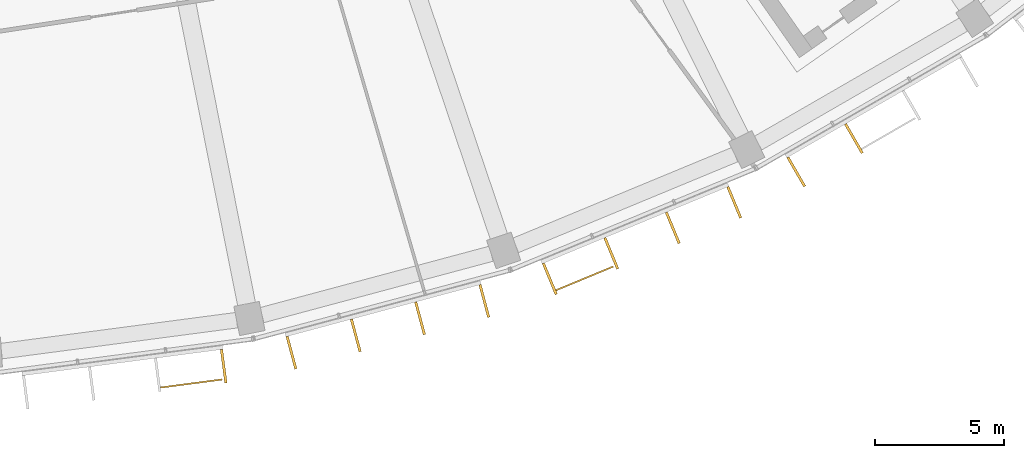
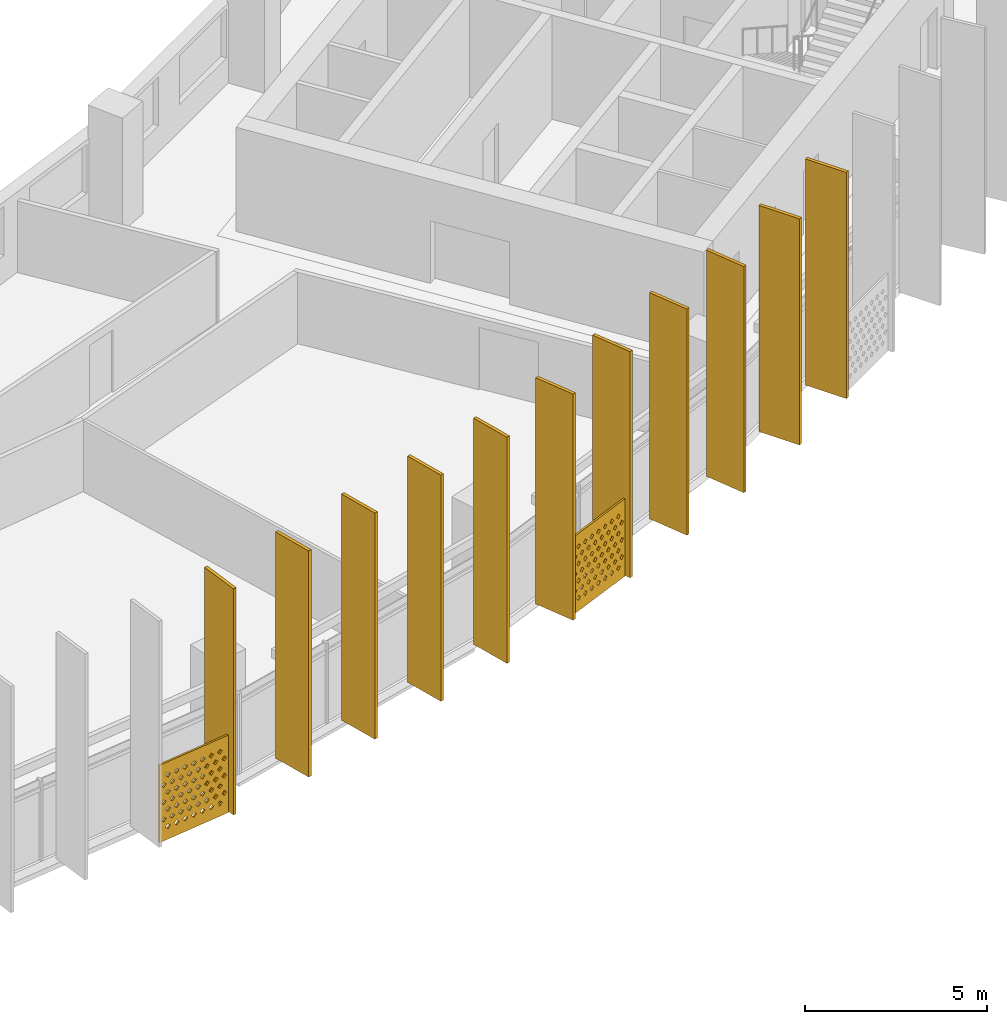
# One storey, part 26 of 28: 13 shading devices.
"""IFC4 building model written with IfcOpenShell, lengths in metres."""

from ifc_helpers import new_model, si_unit, direction, frame, origin, origin_2d, place, context, subcontext, project, spatial, polyline, rectangle, outline, extrude, material, material_profile, profile_set, type_object, element, save


model = new_model("IFC4")

# Units and contexts
model_context = context("Model", 3, precision=1e-05, world=origin(), true_north=direction((0.0, 1.0)))
body_context = subcontext(model_context, "Body", "Model", "MODEL_VIEW")
ifc_project = project(units=[si_unit("LENGTHUNIT", "METRE"), si_unit("AREAUNIT", "SQUARE_METRE"), si_unit("VOLUMEUNIT", "CUBIC_METRE"), si_unit("PLANEANGLEUNIT", "RADIAN"), si_unit("MASSUNIT", "GRAM", prefix="KILO")], contexts=[model_context])

# Site, building, storey
site_placement = place(None, origin())
site = spatial("IfcSite", under=ifc_project, at=site_placement, CompositionType="ELEMENT")
building_placement = place(site_placement, origin())
building = spatial("IfcBuilding", under=site, at=building_placement, Name="Qamariyya Broadcast Tower", CompositionType="ELEMENT")
storey_placement = place(building_placement, frame((0.0, 0.0, 226.5)))
storey = spatial("IfcBuildingStorey", under=building, at=storey_placement, Name="L54", CompositionType="ELEMENT", Elevation=226.5)

# Shading devices
ifc_material_1 = material(Name="Perforated glazed terracotta", Category="masonry")
ifc_material_profile_1 = material_profile(ifc_material_1, outline(polyline([(-1.199951171875, -1.300048828125), (1.199951171875, -1.300048828125), (1.199951171875, 1.300048828125), (-1.199951171875, 1.300048828125), (-1.199951171875, -1.300048828125)]), holes=[polyline([(-0.81494140625, -0.86669921875), (-0.89990234375, -0.78173828125), (-0.985107421875, -0.86669921875), (-0.89990234375, -0.95166015625), (-0.81494140625, -0.86669921875)]), polyline([(-0.514892578125, -0.86669921875), (-0.60009765625, -0.78173828125), (-0.68505859375, -0.86669921875), (-0.60009765625, -0.95166015625), (-0.514892578125, -0.86669921875)]), polyline([(-0.215087890625, -0.86669921875), (-0.300048828125, -0.78173828125), (-0.385009765625, -0.86669921875), (-0.300048828125, -0.95166015625), (-0.215087890625, -0.86669921875)]), polyline([(0.0849609375, -0.86669921875), (0.0, -0.78173828125), (-0.0849609375, -0.86669921875), (0.0, -0.95166015625), (0.0849609375, -0.86669921875)]), polyline([(0.385009765625, -0.86669921875), (0.300048828125, -0.78173828125), (0.215087890625, -0.86669921875), (0.300048828125, -0.95166015625), (0.385009765625, -0.86669921875)]), polyline([(0.68505859375, -0.86669921875), (0.60009765625, -0.78173828125), (0.514892578125, -0.86669921875), (0.60009765625, -0.95166015625), (0.68505859375, -0.86669921875)]), polyline([(0.985107421875, -0.86669921875), (0.89990234375, -0.78173828125), (0.81494140625, -0.86669921875), (0.89990234375, -0.95166015625), (0.985107421875, -0.86669921875)]), polyline([(-0.965087890625, -0.577880859375), (-1.050048828125, -0.49267578125), (-1.135009765625, -0.577880859375), (-1.050048828125, -0.662841796875), (-0.965087890625, -0.577880859375)]), polyline([(-0.6650390625, -0.577880859375), (-0.75, -0.49267578125), (-0.8349609375, -0.577880859375), (-0.75, -0.662841796875), (-0.6650390625, -0.577880859375)]), polyline([(-0.364990234375, -0.577880859375), (-0.449951171875, -0.49267578125), (-0.534912109375, -0.577880859375), (-0.449951171875, -0.662841796875), (-0.364990234375, -0.577880859375)]), polyline([(-0.06494140625, -0.577880859375), (-0.14990234375, -0.49267578125), (-0.235107421875, -0.577880859375), (-0.14990234375, -0.662841796875), (-0.06494140625, -0.577880859375)]), polyline([(0.235107421875, -0.577880859375), (0.14990234375, -0.49267578125), (0.06494140625, -0.577880859375), (0.14990234375, -0.662841796875), (0.235107421875, -0.577880859375)]), polyline([(0.534912109375, -0.577880859375), (0.449951171875, -0.49267578125), (0.364990234375, -0.577880859375), (0.449951171875, -0.662841796875), (0.534912109375, -0.577880859375)]), polyline([(0.8349609375, -0.577880859375), (0.75, -0.49267578125), (0.6650390625, -0.577880859375), (0.75, -0.662841796875), (0.8349609375, -0.577880859375)]), polyline([(1.135009765625, -0.577880859375), (1.050048828125, -0.49267578125), (0.965087890625, -0.577880859375), (1.050048828125, -0.662841796875), (1.135009765625, -0.577880859375)]), polyline([(-0.81494140625, -0.288818359375), (-0.89990234375, -0.203857421875), (-0.985107421875, -0.288818359375), (-0.89990234375, -0.373779296875), (-0.81494140625, -0.288818359375)]), polyline([(-0.514892578125, -0.288818359375), (-0.60009765625, -0.203857421875), (-0.68505859375, -0.288818359375), (-0.60009765625, -0.373779296875), (-0.514892578125, -0.288818359375)]), polyline([(-0.215087890625, -0.288818359375), (-0.300048828125, -0.203857421875), (-0.385009765625, -0.288818359375), (-0.300048828125, -0.373779296875), (-0.215087890625, -0.288818359375)]), polyline([(0.0849609375, -0.288818359375), (0.0, -0.203857421875), (-0.0849609375, -0.288818359375), (0.0, -0.373779296875), (0.0849609375, -0.288818359375)]), polyline([(0.385009765625, -0.288818359375), (0.300048828125, -0.203857421875), (0.215087890625, -0.288818359375), (0.300048828125, -0.373779296875), (0.385009765625, -0.288818359375)]), polyline([(0.68505859375, -0.288818359375), (0.60009765625, -0.203857421875), (0.514892578125, -0.288818359375), (0.60009765625, -0.373779296875), (0.68505859375, -0.288818359375)]), polyline([(0.985107421875, -0.288818359375), (0.89990234375, -0.203857421875), (0.81494140625, -0.288818359375), (0.89990234375, -0.373779296875), (0.985107421875, -0.288818359375)]), polyline([(-0.965087890625, 0.0), (-1.050048828125, 0.0849609375), (-1.135009765625, 0.0), (-1.050048828125, -0.0849609375), (-0.965087890625, 0.0)]), polyline([(-0.6650390625, 0.0), (-0.75, 0.0849609375), (-0.8349609375, 0.0), (-0.75, -0.0849609375), (-0.6650390625, 0.0)]), polyline([(-0.364990234375, 0.0), (-0.449951171875, 0.0849609375), (-0.534912109375, 0.0), (-0.449951171875, -0.0849609375), (-0.364990234375, 0.0)]), polyline([(-0.06494140625, 0.0), (-0.14990234375, 0.0849609375), (-0.235107421875, 0.0), (-0.14990234375, -0.0849609375), (-0.06494140625, 0.0)]), polyline([(0.235107421875, 0.0), (0.14990234375, 0.0849609375), (0.06494140625, 0.0), (0.14990234375, -0.0849609375), (0.235107421875, 0.0)]), polyline([(0.534912109375, 0.0), (0.449951171875, 0.0849609375), (0.364990234375, 0.0), (0.449951171875, -0.0849609375), (0.534912109375, 0.0)]), polyline([(0.8349609375, 0.0), (0.75, 0.0849609375), (0.6650390625, 0.0), (0.75, -0.0849609375), (0.8349609375, 0.0)]), polyline([(1.135009765625, 0.0), (1.050048828125, 0.0849609375), (0.965087890625, 0.0), (1.050048828125, -0.0849609375), (1.135009765625, 0.0)]), polyline([(-0.81494140625, 0.288818359375), (-0.89990234375, 0.373779296875), (-0.985107421875, 0.288818359375), (-0.89990234375, 0.203857421875), (-0.81494140625, 0.288818359375)]), polyline([(-0.514892578125, 0.288818359375), (-0.60009765625, 0.373779296875), (-0.68505859375, 0.288818359375), (-0.60009765625, 0.203857421875), (-0.514892578125, 0.288818359375)]), polyline([(-0.215087890625, 0.288818359375), (-0.300048828125, 0.373779296875), (-0.385009765625, 0.288818359375), (-0.300048828125, 0.203857421875), (-0.215087890625, 0.288818359375)]), polyline([(0.0849609375, 0.288818359375), (0.0, 0.373779296875), (-0.0849609375, 0.288818359375), (0.0, 0.203857421875), (0.0849609375, 0.288818359375)]), polyline([(0.385009765625, 0.288818359375), (0.300048828125, 0.373779296875), (0.215087890625, 0.288818359375), (0.300048828125, 0.203857421875), (0.385009765625, 0.288818359375)]), polyline([(0.68505859375, 0.288818359375), (0.60009765625, 0.373779296875), (0.514892578125, 0.288818359375), (0.60009765625, 0.203857421875), (0.68505859375, 0.288818359375)]), polyline([(0.985107421875, 0.288818359375), (0.89990234375, 0.373779296875), (0.81494140625, 0.288818359375), (0.89990234375, 0.203857421875), (0.985107421875, 0.288818359375)]), polyline([(-0.965087890625, 0.577880859375), (-1.050048828125, 0.662841796875), (-1.135009765625, 0.577880859375), (-1.050048828125, 0.49267578125), (-0.965087890625, 0.577880859375)]), polyline([(-0.6650390625, 0.577880859375), (-0.75, 0.662841796875), (-0.8349609375, 0.577880859375), (-0.75, 0.49267578125), (-0.6650390625, 0.577880859375)]), polyline([(-0.364990234375, 0.577880859375), (-0.449951171875, 0.662841796875), (-0.534912109375, 0.577880859375), (-0.449951171875, 0.49267578125), (-0.364990234375, 0.577880859375)]), polyline([(-0.06494140625, 0.577880859375), (-0.14990234375, 0.662841796875), (-0.235107421875, 0.577880859375), (-0.14990234375, 0.49267578125), (-0.06494140625, 0.577880859375)]), polyline([(0.235107421875, 0.577880859375), (0.14990234375, 0.662841796875), (0.06494140625, 0.577880859375), (0.14990234375, 0.49267578125), (0.235107421875, 0.577880859375)]), polyline([(0.534912109375, 0.577880859375), (0.449951171875, 0.662841796875), (0.364990234375, 0.577880859375), (0.449951171875, 0.49267578125), (0.534912109375, 0.577880859375)]), polyline([(0.8349609375, 0.577880859375), (0.75, 0.662841796875), (0.6650390625, 0.577880859375), (0.75, 0.49267578125), (0.8349609375, 0.577880859375)]), polyline([(1.135009765625, 0.577880859375), (1.050048828125, 0.662841796875), (0.965087890625, 0.577880859375), (1.050048828125, 0.49267578125), (1.135009765625, 0.577880859375)]), polyline([(-0.81494140625, 0.86669921875), (-0.89990234375, 0.95166015625), (-0.985107421875, 0.86669921875), (-0.89990234375, 0.78173828125), (-0.81494140625, 0.86669921875)]), polyline([(-0.514892578125, 0.86669921875), (-0.60009765625, 0.95166015625), (-0.68505859375, 0.86669921875), (-0.60009765625, 0.78173828125), (-0.514892578125, 0.86669921875)]), polyline([(-0.215087890625, 0.86669921875), (-0.300048828125, 0.95166015625), (-0.385009765625, 0.86669921875), (-0.300048828125, 0.78173828125), (-0.215087890625, 0.86669921875)]), polyline([(0.0849609375, 0.86669921875), (0.0, 0.95166015625), (-0.0849609375, 0.86669921875), (0.0, 0.78173828125), (0.0849609375, 0.86669921875)]), polyline([(0.385009765625, 0.86669921875), (0.300048828125, 0.95166015625), (0.215087890625, 0.86669921875), (0.300048828125, 0.78173828125), (0.385009765625, 0.86669921875)]), polyline([(0.68505859375, 0.86669921875), (0.60009765625, 0.95166015625), (0.514892578125, 0.86669921875), (0.60009765625, 0.78173828125), (0.68505859375, 0.86669921875)]), polyline([(0.985107421875, 0.86669921875), (0.89990234375, 0.95166015625), (0.81494140625, 0.86669921875), (0.89990234375, 0.78173828125), (0.985107421875, 0.86669921875)])]))
ifc_profile_set_1 = profile_set([ifc_material_profile_1], Name="Perforated glazed terracotta")
shading_device_type_1 = type_object("IfcShadingDeviceType", Name="Perforated terracotta screen 2400 x 2600", PredefinedType="USERDEFINED", material=ifc_profile_set_1)
shading_device_1_placement = place(storey_placement, frame((12.924072265625, -78.73828125, 1.35009765625), z_axis=(0.1300340368, -0.991509530601, 0.0), x_axis=(0.991509530601, 0.1300340368, 0.0)))
element("IfcShadingDevice", 1, at=shading_device_1_placement, inside=storey, type_object=shading_device_type_1, Name="e-scr-L54-09-2", ObjectType="SCREEN", PredefinedType="USERDEFINED", context=body_context, shape_type="SweptSolid", body=[
    extrude(outline(polyline([(-1.199951171875, -1.300048828125), (1.199951171875, -1.300048828125), (1.199951171875, 1.300048828125), (-1.199951171875, 1.300048828125), (-1.199951171875, -1.300048828125)]), holes=[polyline([(-0.81494140625, -0.86669921875), (-0.89990234375, -0.78173828125), (-0.985107421875, -0.86669921875), (-0.89990234375, -0.95166015625), (-0.81494140625, -0.86669921875)]), polyline([(-0.514892578125, -0.86669921875), (-0.60009765625, -0.78173828125), (-0.68505859375, -0.86669921875), (-0.60009765625, -0.95166015625), (-0.514892578125, -0.86669921875)]), polyline([(-0.215087890625, -0.86669921875), (-0.300048828125, -0.78173828125), (-0.385009765625, -0.86669921875), (-0.300048828125, -0.95166015625), (-0.215087890625, -0.86669921875)]), polyline([(0.0849609375, -0.86669921875), (0.0, -0.78173828125), (-0.0849609375, -0.86669921875), (0.0, -0.95166015625), (0.0849609375, -0.86669921875)]), polyline([(0.385009765625, -0.86669921875), (0.300048828125, -0.78173828125), (0.215087890625, -0.86669921875), (0.300048828125, -0.95166015625), (0.385009765625, -0.86669921875)]), polyline([(0.68505859375, -0.86669921875), (0.60009765625, -0.78173828125), (0.514892578125, -0.86669921875), (0.60009765625, -0.95166015625), (0.68505859375, -0.86669921875)]), polyline([(0.985107421875, -0.86669921875), (0.89990234375, -0.78173828125), (0.81494140625, -0.86669921875), (0.89990234375, -0.95166015625), (0.985107421875, -0.86669921875)]), polyline([(-0.965087890625, -0.577880859375), (-1.050048828125, -0.49267578125), (-1.135009765625, -0.577880859375), (-1.050048828125, -0.662841796875), (-0.965087890625, -0.577880859375)]), polyline([(-0.6650390625, -0.577880859375), (-0.75, -0.49267578125), (-0.8349609375, -0.577880859375), (-0.75, -0.662841796875), (-0.6650390625, -0.577880859375)]), polyline([(-0.364990234375, -0.577880859375), (-0.449951171875, -0.49267578125), (-0.534912109375, -0.577880859375), (-0.449951171875, -0.662841796875), (-0.364990234375, -0.577880859375)]), polyline([(-0.06494140625, -0.577880859375), (-0.14990234375, -0.49267578125), (-0.235107421875, -0.577880859375), (-0.14990234375, -0.662841796875), (-0.06494140625, -0.577880859375)]), polyline([(0.235107421875, -0.577880859375), (0.14990234375, -0.49267578125), (0.06494140625, -0.577880859375), (0.14990234375, -0.662841796875), (0.235107421875, -0.577880859375)]), polyline([(0.534912109375, -0.577880859375), (0.449951171875, -0.49267578125), (0.364990234375, -0.577880859375), (0.449951171875, -0.662841796875), (0.534912109375, -0.577880859375)]), polyline([(0.8349609375, -0.577880859375), (0.75, -0.49267578125), (0.6650390625, -0.577880859375), (0.75, -0.662841796875), (0.8349609375, -0.577880859375)]), polyline([(1.135009765625, -0.577880859375), (1.050048828125, -0.49267578125), (0.965087890625, -0.577880859375), (1.050048828125, -0.662841796875), (1.135009765625, -0.577880859375)]), polyline([(-0.81494140625, -0.288818359375), (-0.89990234375, -0.203857421875), (-0.985107421875, -0.288818359375), (-0.89990234375, -0.373779296875), (-0.81494140625, -0.288818359375)]), polyline([(-0.514892578125, -0.288818359375), (-0.60009765625, -0.203857421875), (-0.68505859375, -0.288818359375), (-0.60009765625, -0.373779296875), (-0.514892578125, -0.288818359375)]), polyline([(-0.215087890625, -0.288818359375), (-0.300048828125, -0.203857421875), (-0.385009765625, -0.288818359375), (-0.300048828125, -0.373779296875), (-0.215087890625, -0.288818359375)]), polyline([(0.0849609375, -0.288818359375), (0.0, -0.203857421875), (-0.0849609375, -0.288818359375), (0.0, -0.373779296875), (0.0849609375, -0.288818359375)]), polyline([(0.385009765625, -0.288818359375), (0.300048828125, -0.203857421875), (0.215087890625, -0.288818359375), (0.300048828125, -0.373779296875), (0.385009765625, -0.288818359375)]), polyline([(0.68505859375, -0.288818359375), (0.60009765625, -0.203857421875), (0.514892578125, -0.288818359375), (0.60009765625, -0.373779296875), (0.68505859375, -0.288818359375)]), polyline([(0.985107421875, -0.288818359375), (0.89990234375, -0.203857421875), (0.81494140625, -0.288818359375), (0.89990234375, -0.373779296875), (0.985107421875, -0.288818359375)]), polyline([(-0.965087890625, 0.0), (-1.050048828125, 0.0849609375), (-1.135009765625, 0.0), (-1.050048828125, -0.0849609375), (-0.965087890625, 0.0)]), polyline([(-0.6650390625, 0.0), (-0.75, 0.0849609375), (-0.8349609375, 0.0), (-0.75, -0.0849609375), (-0.6650390625, 0.0)]), polyline([(-0.364990234375, 0.0), (-0.449951171875, 0.0849609375), (-0.534912109375, 0.0), (-0.449951171875, -0.0849609375), (-0.364990234375, 0.0)]), polyline([(-0.06494140625, 0.0), (-0.14990234375, 0.0849609375), (-0.235107421875, 0.0), (-0.14990234375, -0.0849609375), (-0.06494140625, 0.0)]), polyline([(0.235107421875, 0.0), (0.14990234375, 0.0849609375), (0.06494140625, 0.0), (0.14990234375, -0.0849609375), (0.235107421875, 0.0)]), polyline([(0.534912109375, 0.0), (0.449951171875, 0.0849609375), (0.364990234375, 0.0), (0.449951171875, -0.0849609375), (0.534912109375, 0.0)]), polyline([(0.8349609375, 0.0), (0.75, 0.0849609375), (0.6650390625, 0.0), (0.75, -0.0849609375), (0.8349609375, 0.0)]), polyline([(1.135009765625, 0.0), (1.050048828125, 0.0849609375), (0.965087890625, 0.0), (1.050048828125, -0.0849609375), (1.135009765625, 0.0)]), polyline([(-0.81494140625, 0.288818359375), (-0.89990234375, 0.373779296875), (-0.985107421875, 0.288818359375), (-0.89990234375, 0.203857421875), (-0.81494140625, 0.288818359375)]), polyline([(-0.514892578125, 0.288818359375), (-0.60009765625, 0.373779296875), (-0.68505859375, 0.288818359375), (-0.60009765625, 0.203857421875), (-0.514892578125, 0.288818359375)]), polyline([(-0.215087890625, 0.288818359375), (-0.300048828125, 0.373779296875), (-0.385009765625, 0.288818359375), (-0.300048828125, 0.203857421875), (-0.215087890625, 0.288818359375)]), polyline([(0.0849609375, 0.288818359375), (0.0, 0.373779296875), (-0.0849609375, 0.288818359375), (0.0, 0.203857421875), (0.0849609375, 0.288818359375)]), polyline([(0.385009765625, 0.288818359375), (0.300048828125, 0.373779296875), (0.215087890625, 0.288818359375), (0.300048828125, 0.203857421875), (0.385009765625, 0.288818359375)]), polyline([(0.68505859375, 0.288818359375), (0.60009765625, 0.373779296875), (0.514892578125, 0.288818359375), (0.60009765625, 0.203857421875), (0.68505859375, 0.288818359375)]), polyline([(0.985107421875, 0.288818359375), (0.89990234375, 0.373779296875), (0.81494140625, 0.288818359375), (0.89990234375, 0.203857421875), (0.985107421875, 0.288818359375)]), polyline([(-0.965087890625, 0.577880859375), (-1.050048828125, 0.662841796875), (-1.135009765625, 0.577880859375), (-1.050048828125, 0.49267578125), (-0.965087890625, 0.577880859375)]), polyline([(-0.6650390625, 0.577880859375), (-0.75, 0.662841796875), (-0.8349609375, 0.577880859375), (-0.75, 0.49267578125), (-0.6650390625, 0.577880859375)]), polyline([(-0.364990234375, 0.577880859375), (-0.449951171875, 0.662841796875), (-0.534912109375, 0.577880859375), (-0.449951171875, 0.49267578125), (-0.364990234375, 0.577880859375)]), polyline([(-0.06494140625, 0.577880859375), (-0.14990234375, 0.662841796875), (-0.235107421875, 0.577880859375), (-0.14990234375, 0.49267578125), (-0.06494140625, 0.577880859375)]), polyline([(0.235107421875, 0.577880859375), (0.14990234375, 0.662841796875), (0.06494140625, 0.577880859375), (0.14990234375, 0.49267578125), (0.235107421875, 0.577880859375)]), polyline([(0.534912109375, 0.577880859375), (0.449951171875, 0.662841796875), (0.364990234375, 0.577880859375), (0.449951171875, 0.49267578125), (0.534912109375, 0.577880859375)]), polyline([(0.8349609375, 0.577880859375), (0.75, 0.662841796875), (0.6650390625, 0.577880859375), (0.75, 0.49267578125), (0.8349609375, 0.577880859375)]), polyline([(1.135009765625, 0.577880859375), (1.050048828125, 0.662841796875), (0.965087890625, 0.577880859375), (1.050048828125, 0.49267578125), (1.135009765625, 0.577880859375)]), polyline([(-0.81494140625, 0.86669921875), (-0.89990234375, 0.95166015625), (-0.985107421875, 0.86669921875), (-0.89990234375, 0.78173828125), (-0.81494140625, 0.86669921875)]), polyline([(-0.514892578125, 0.86669921875), (-0.60009765625, 0.95166015625), (-0.68505859375, 0.86669921875), (-0.60009765625, 0.78173828125), (-0.514892578125, 0.86669921875)]), polyline([(-0.215087890625, 0.86669921875), (-0.300048828125, 0.95166015625), (-0.385009765625, 0.86669921875), (-0.300048828125, 0.78173828125), (-0.215087890625, 0.86669921875)]), polyline([(0.0849609375, 0.86669921875), (0.0, 0.95166015625), (-0.0849609375, 0.86669921875), (0.0, 0.78173828125), (0.0849609375, 0.86669921875)]), polyline([(0.385009765625, 0.86669921875), (0.300048828125, 0.95166015625), (0.215087890625, 0.86669921875), (0.300048828125, 0.78173828125), (0.385009765625, 0.86669921875)]), polyline([(0.68505859375, 0.86669921875), (0.60009765625, 0.95166015625), (0.514892578125, 0.86669921875), (0.60009765625, 0.78173828125), (0.68505859375, 0.86669921875)]), polyline([(0.985107421875, 0.86669921875), (0.89990234375, 0.95166015625), (0.81494140625, 0.86669921875), (0.89990234375, 0.78173828125), (0.985107421875, 0.86669921875)])]), origin(), (0.0, 0.0, 1.0), 0.06005859375),
])
shading_device_2_placement = place(storey_placement, frame((28.110107421875, -74.678955078125, 1.35009765625), z_axis=(0.382591441855, -0.923917630863, 0.0), x_axis=(0.923917630863, 0.382591441855, 0.0)))
element("IfcShadingDevice", 2, at=shading_device_2_placement, inside=storey, type_object=shading_device_type_1, Name="e-scr-L54-11-0", ObjectType="SCREEN", PredefinedType="USERDEFINED", context=body_context, shape_type="SweptSolid", body=[
    extrude(outline(polyline([(-1.199951171875, -1.300048828125), (1.199951171875, -1.300048828125), (1.199951171875, 1.300048828125), (-1.199951171875, 1.300048828125), (-1.199951171875, -1.300048828125)]), holes=[polyline([(-0.81494140625, -0.86669921875), (-0.89990234375, -0.78173828125), (-0.985107421875, -0.86669921875), (-0.89990234375, -0.95166015625), (-0.81494140625, -0.86669921875)]), polyline([(-0.514892578125, -0.86669921875), (-0.60009765625, -0.78173828125), (-0.68505859375, -0.86669921875), (-0.60009765625, -0.95166015625), (-0.514892578125, -0.86669921875)]), polyline([(-0.215087890625, -0.86669921875), (-0.300048828125, -0.78173828125), (-0.385009765625, -0.86669921875), (-0.300048828125, -0.95166015625), (-0.215087890625, -0.86669921875)]), polyline([(0.0849609375, -0.86669921875), (0.0, -0.78173828125), (-0.0849609375, -0.86669921875), (0.0, -0.95166015625), (0.0849609375, -0.86669921875)]), polyline([(0.385009765625, -0.86669921875), (0.300048828125, -0.78173828125), (0.215087890625, -0.86669921875), (0.300048828125, -0.95166015625), (0.385009765625, -0.86669921875)]), polyline([(0.68505859375, -0.86669921875), (0.60009765625, -0.78173828125), (0.514892578125, -0.86669921875), (0.60009765625, -0.95166015625), (0.68505859375, -0.86669921875)]), polyline([(0.985107421875, -0.86669921875), (0.89990234375, -0.78173828125), (0.81494140625, -0.86669921875), (0.89990234375, -0.95166015625), (0.985107421875, -0.86669921875)]), polyline([(-0.965087890625, -0.577880859375), (-1.050048828125, -0.49267578125), (-1.135009765625, -0.577880859375), (-1.050048828125, -0.662841796875), (-0.965087890625, -0.577880859375)]), polyline([(-0.6650390625, -0.577880859375), (-0.75, -0.49267578125), (-0.8349609375, -0.577880859375), (-0.75, -0.662841796875), (-0.6650390625, -0.577880859375)]), polyline([(-0.364990234375, -0.577880859375), (-0.449951171875, -0.49267578125), (-0.534912109375, -0.577880859375), (-0.449951171875, -0.662841796875), (-0.364990234375, -0.577880859375)]), polyline([(-0.06494140625, -0.577880859375), (-0.14990234375, -0.49267578125), (-0.235107421875, -0.577880859375), (-0.14990234375, -0.662841796875), (-0.06494140625, -0.577880859375)]), polyline([(0.235107421875, -0.577880859375), (0.14990234375, -0.49267578125), (0.06494140625, -0.577880859375), (0.14990234375, -0.662841796875), (0.235107421875, -0.577880859375)]), polyline([(0.534912109375, -0.577880859375), (0.449951171875, -0.49267578125), (0.364990234375, -0.577880859375), (0.449951171875, -0.662841796875), (0.534912109375, -0.577880859375)]), polyline([(0.8349609375, -0.577880859375), (0.75, -0.49267578125), (0.6650390625, -0.577880859375), (0.75, -0.662841796875), (0.8349609375, -0.577880859375)]), polyline([(1.135009765625, -0.577880859375), (1.050048828125, -0.49267578125), (0.965087890625, -0.577880859375), (1.050048828125, -0.662841796875), (1.135009765625, -0.577880859375)]), polyline([(-0.81494140625, -0.288818359375), (-0.89990234375, -0.203857421875), (-0.985107421875, -0.288818359375), (-0.89990234375, -0.373779296875), (-0.81494140625, -0.288818359375)]), polyline([(-0.514892578125, -0.288818359375), (-0.60009765625, -0.203857421875), (-0.68505859375, -0.288818359375), (-0.60009765625, -0.373779296875), (-0.514892578125, -0.288818359375)]), polyline([(-0.215087890625, -0.288818359375), (-0.300048828125, -0.203857421875), (-0.385009765625, -0.288818359375), (-0.300048828125, -0.373779296875), (-0.215087890625, -0.288818359375)]), polyline([(0.0849609375, -0.288818359375), (0.0, -0.203857421875), (-0.0849609375, -0.288818359375), (0.0, -0.373779296875), (0.0849609375, -0.288818359375)]), polyline([(0.385009765625, -0.288818359375), (0.300048828125, -0.203857421875), (0.215087890625, -0.288818359375), (0.300048828125, -0.373779296875), (0.385009765625, -0.288818359375)]), polyline([(0.68505859375, -0.288818359375), (0.60009765625, -0.203857421875), (0.514892578125, -0.288818359375), (0.60009765625, -0.373779296875), (0.68505859375, -0.288818359375)]), polyline([(0.985107421875, -0.288818359375), (0.89990234375, -0.203857421875), (0.81494140625, -0.288818359375), (0.89990234375, -0.373779296875), (0.985107421875, -0.288818359375)]), polyline([(-0.965087890625, 0.0), (-1.050048828125, 0.0849609375), (-1.135009765625, 0.0), (-1.050048828125, -0.0849609375), (-0.965087890625, 0.0)]), polyline([(-0.6650390625, 0.0), (-0.75, 0.0849609375), (-0.8349609375, 0.0), (-0.75, -0.0849609375), (-0.6650390625, 0.0)]), polyline([(-0.364990234375, 0.0), (-0.449951171875, 0.0849609375), (-0.534912109375, 0.0), (-0.449951171875, -0.0849609375), (-0.364990234375, 0.0)]), polyline([(-0.06494140625, 0.0), (-0.14990234375, 0.0849609375), (-0.235107421875, 0.0), (-0.14990234375, -0.0849609375), (-0.06494140625, 0.0)]), polyline([(0.235107421875, 0.0), (0.14990234375, 0.0849609375), (0.06494140625, 0.0), (0.14990234375, -0.0849609375), (0.235107421875, 0.0)]), polyline([(0.534912109375, 0.0), (0.449951171875, 0.0849609375), (0.364990234375, 0.0), (0.449951171875, -0.0849609375), (0.534912109375, 0.0)]), polyline([(0.8349609375, 0.0), (0.75, 0.0849609375), (0.6650390625, 0.0), (0.75, -0.0849609375), (0.8349609375, 0.0)]), polyline([(1.135009765625, 0.0), (1.050048828125, 0.0849609375), (0.965087890625, 0.0), (1.050048828125, -0.0849609375), (1.135009765625, 0.0)]), polyline([(-0.81494140625, 0.288818359375), (-0.89990234375, 0.373779296875), (-0.985107421875, 0.288818359375), (-0.89990234375, 0.203857421875), (-0.81494140625, 0.288818359375)]), polyline([(-0.514892578125, 0.288818359375), (-0.60009765625, 0.373779296875), (-0.68505859375, 0.288818359375), (-0.60009765625, 0.203857421875), (-0.514892578125, 0.288818359375)]), polyline([(-0.215087890625, 0.288818359375), (-0.300048828125, 0.373779296875), (-0.385009765625, 0.288818359375), (-0.300048828125, 0.203857421875), (-0.215087890625, 0.288818359375)]), polyline([(0.0849609375, 0.288818359375), (0.0, 0.373779296875), (-0.0849609375, 0.288818359375), (0.0, 0.203857421875), (0.0849609375, 0.288818359375)]), polyline([(0.385009765625, 0.288818359375), (0.300048828125, 0.373779296875), (0.215087890625, 0.288818359375), (0.300048828125, 0.203857421875), (0.385009765625, 0.288818359375)]), polyline([(0.68505859375, 0.288818359375), (0.60009765625, 0.373779296875), (0.514892578125, 0.288818359375), (0.60009765625, 0.203857421875), (0.68505859375, 0.288818359375)]), polyline([(0.985107421875, 0.288818359375), (0.89990234375, 0.373779296875), (0.81494140625, 0.288818359375), (0.89990234375, 0.203857421875), (0.985107421875, 0.288818359375)]), polyline([(-0.965087890625, 0.577880859375), (-1.050048828125, 0.662841796875), (-1.135009765625, 0.577880859375), (-1.050048828125, 0.49267578125), (-0.965087890625, 0.577880859375)]), polyline([(-0.6650390625, 0.577880859375), (-0.75, 0.662841796875), (-0.8349609375, 0.577880859375), (-0.75, 0.49267578125), (-0.6650390625, 0.577880859375)]), polyline([(-0.364990234375, 0.577880859375), (-0.449951171875, 0.662841796875), (-0.534912109375, 0.577880859375), (-0.449951171875, 0.49267578125), (-0.364990234375, 0.577880859375)]), polyline([(-0.06494140625, 0.577880859375), (-0.14990234375, 0.662841796875), (-0.235107421875, 0.577880859375), (-0.14990234375, 0.49267578125), (-0.06494140625, 0.577880859375)]), polyline([(0.235107421875, 0.577880859375), (0.14990234375, 0.662841796875), (0.06494140625, 0.577880859375), (0.14990234375, 0.49267578125), (0.235107421875, 0.577880859375)]), polyline([(0.534912109375, 0.577880859375), (0.449951171875, 0.662841796875), (0.364990234375, 0.577880859375), (0.449951171875, 0.49267578125), (0.534912109375, 0.577880859375)]), polyline([(0.8349609375, 0.577880859375), (0.75, 0.662841796875), (0.6650390625, 0.577880859375), (0.75, 0.49267578125), (0.8349609375, 0.577880859375)]), polyline([(1.135009765625, 0.577880859375), (1.050048828125, 0.662841796875), (0.965087890625, 0.577880859375), (1.050048828125, 0.49267578125), (1.135009765625, 0.577880859375)]), polyline([(-0.81494140625, 0.86669921875), (-0.89990234375, 0.95166015625), (-0.985107421875, 0.86669921875), (-0.89990234375, 0.78173828125), (-0.81494140625, 0.86669921875)]), polyline([(-0.514892578125, 0.86669921875), (-0.60009765625, 0.95166015625), (-0.68505859375, 0.86669921875), (-0.60009765625, 0.78173828125), (-0.514892578125, 0.86669921875)]), polyline([(-0.215087890625, 0.86669921875), (-0.300048828125, 0.95166015625), (-0.385009765625, 0.86669921875), (-0.300048828125, 0.78173828125), (-0.215087890625, 0.86669921875)]), polyline([(0.0849609375, 0.86669921875), (0.0, 0.95166015625), (-0.0849609375, 0.86669921875), (0.0, 0.78173828125), (0.0849609375, 0.86669921875)]), polyline([(0.385009765625, 0.86669921875), (0.300048828125, 0.95166015625), (0.215087890625, 0.86669921875), (0.300048828125, 0.78173828125), (0.385009765625, 0.86669921875)]), polyline([(0.68505859375, 0.86669921875), (0.60009765625, 0.95166015625), (0.514892578125, 0.86669921875), (0.60009765625, 0.78173828125), (0.68505859375, 0.86669921875)]), polyline([(0.985107421875, 0.86669921875), (0.89990234375, 0.95166015625), (0.81494140625, 0.86669921875), (0.89990234375, 0.78173828125), (0.985107421875, 0.86669921875)])]), origin(), (0.0, 0.0, 1.0), 0.06005859375),
])
ifc_material_2 = material(Name="Glazed terracotta", Category="masonry")
ifc_material_profile_2 = material_profile(ifc_material_2, rectangle(XDim=1.300048828125, YDim=0.10009765625, at=origin_2d()))
ifc_profile_set_2 = profile_set([ifc_material_profile_2], Name="Glazed terracotta")
shading_device_type_2 = type_object("IfcShadingDeviceType", Name="Terracotta fin 100 x 1300", PredefinedType="USERDEFINED", material=ifc_profile_set_2)
for number, where, z_axis, x_axis, name in (
    (3, (14.17333984375, -78.099853515625, 0.0), (0.0, 0.0, 1.0), (0.13052619222, -0.991444861374, 0.0), "e-fin-L54-09-3"),
    (4, (16.79296875, -77.57861328125, 0.0), (0.0, 0.0, 1.0), (0.258819045103, -0.965925826289, 0.0), "e-fin-L54-10-0"),
    (5, (19.27734375, -76.9130859375, 0.0), (0.0, 0.0, 1.0), (0.258819045103, -0.965925826289, 0.0), "e-fin-L54-10-1"),
    (6, (21.76171875, -76.247314453125, 0.0), (0.0, 0.0, 1.0), (0.258819045103, -0.965925826289, 0.0), "e-fin-L54-10-2"),
    (7, (24.24609375, -75.58154296875, 0.0), (0.0, 0.0, 1.0), (0.258819045103, -0.965925826289, 0.0), "e-fin-L54-10-3"),
    (8, (26.775390625, -74.72314453125, 0.0), (0.0, 0.0, 1.0), (0.382683432365, -0.923879532511, 0.0), "e-fin-L54-11-0"),
    (9, (29.151611328125, -73.73876953125, 0.0), (0.0, 0.0, 1.0), (0.382683432365, -0.923879532511, 0.0), "e-fin-L54-11-1"),
    (10, (31.52783203125, -72.754638671875, 0.0), (0.0, 0.0, 1.0), (0.382683432365, -0.923879532511, 0.0), "e-fin-L54-11-2"),
    (11, (33.904052734375, -71.770263671875, 0.0), (0.0, 0.0, 1.0), (0.382683432365, -0.923879532511, 0.0), "e-fin-L54-11-3"),
    (12, (36.2998046875, -70.5888671875, 0.0), (0.0, 0.0, 1.0), (0.5, -0.866025403784, 0.0), "e-fin-L54-12-0"),
    (13, (38.527099609375, -69.302978515625, 0.0), (0.0, 0.0, 1.0), (0.5, -0.866025403784, 0.0), "e-fin-L54-12-1"),
):
    element("IfcShadingDevice", number, at=place(storey_placement, frame(where, z_axis=z_axis, x_axis=x_axis)), inside=storey, type_object=shading_device_type_2, Name=name, ObjectType="FIN", PredefinedType="USERDEFINED", context=body_context, shape_type="SweptSolid", body=[
        extrude(rectangle(XDim=1.300048828125, YDim=0.10009765625, at=origin_2d()), origin(), (0.0, 0.0, 1.0), 7.60009765625),
    ])

save(model, "model.ifc")
